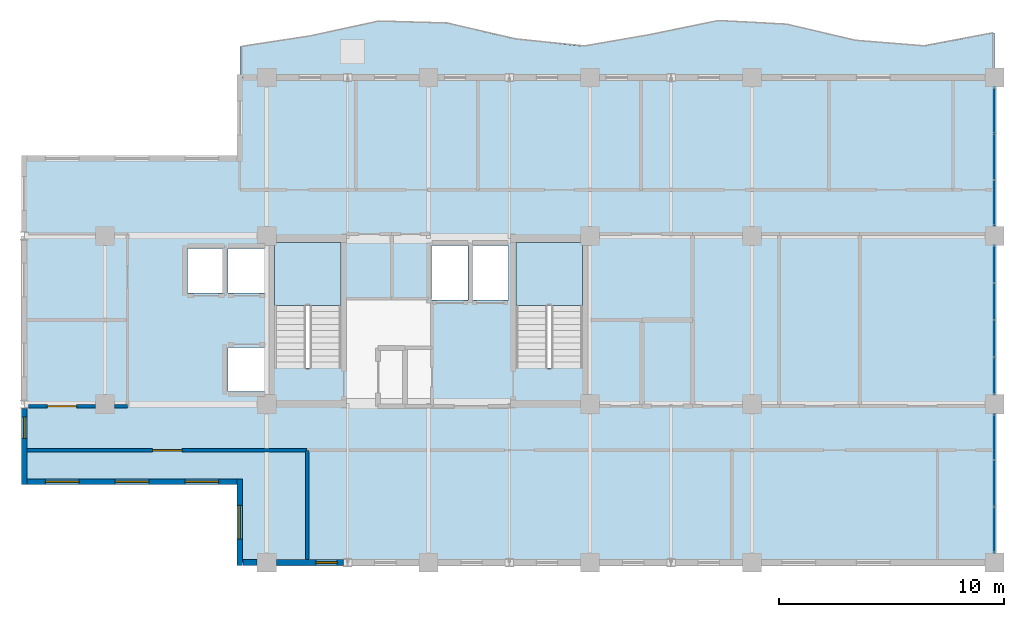
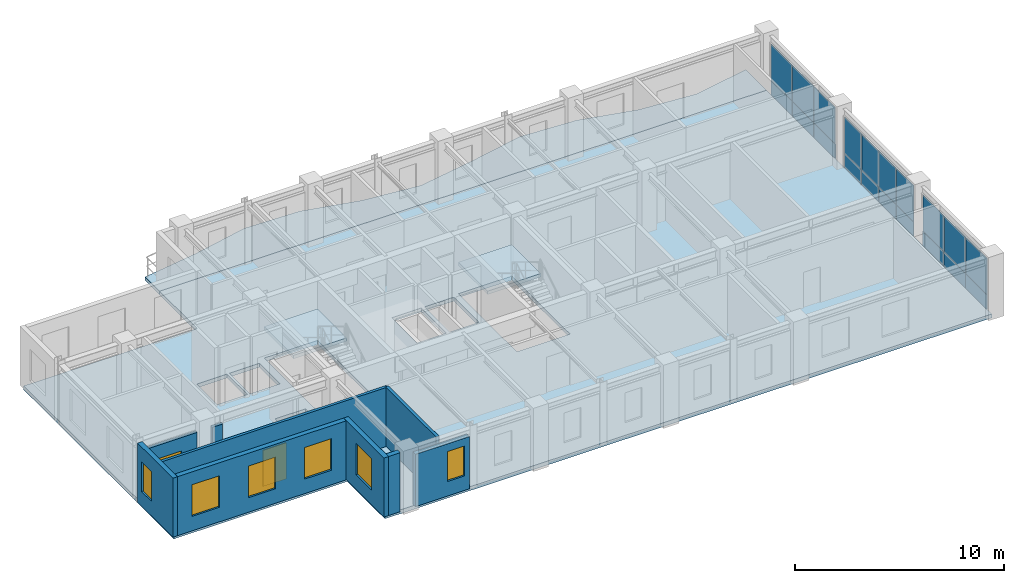
# One storey, part 5 of 10: 20 plates, 9 walls, 6 windows, 4 slabs, 2 doors, 8 openings, 5 elements without a shape of their own.
"""IFC4 building model written with IfcOpenShell, lengths in metres."""

from ifc_helpers import new_model, si_unit, direction, frame, frame_2d, origin, origin_2d, place, context, subcontext, project, spatial, polyline, rectangle, outline, extrude, source, transform, mapped, material, layer, layer_set, type_object, element, fill, aggregate, save


model = new_model("IFC4")

# Units and contexts
model_context = context("Model", 3, precision=1e-05, world=origin(), true_north=direction((0.0, 1.0)))
body_context = subcontext(model_context, "Body", "Model", "MODEL_VIEW")
ifc_project = project(units=[si_unit("LENGTHUNIT", "METRE"), si_unit("AREAUNIT", "SQUARE_METRE"), si_unit("VOLUMEUNIT", "CUBIC_METRE"), si_unit("PLANEANGLEUNIT", "RADIAN"), si_unit("MASSUNIT", "GRAM", prefix="KILO")], contexts=[model_context])

# Site, building, storey
site_placement = place(None, origin())
site = spatial("IfcSite", under=ifc_project, at=site_placement, CompositionType="ELEMENT")
building_placement = place(site_placement, origin())
building = spatial("IfcBuilding", under=site, at=building_placement, Name="Kaliganga Portal Commons", CompositionType="ELEMENT")
storey_placement = place(building_placement, frame((0.0, 0.0, 283.199951171875)))
storey = spatial("IfcBuildingStorey", under=building, at=storey_placement, Name="L73", CompositionType="ELEMENT", Elevation=283.199951171875)

# Slab
ifc_material_1 = material(Name="Concrete C40/50", Category="concrete")
ifc_layer_1 = layer(ifc_material_1, 0.2099609375)
ifc_layer_set_1 = layer_set([ifc_layer_1], Name="Concrete C40/50")
slab_type_1 = type_object("IfcSlabType", Name="SLB-BALC-210", PredefinedType="FLOOR", material=ifc_layer_set_1)
slab_1_placement = place(storey_placement, frame((0.0, 0.0, -0.2099609375)))
element("IfcSlab", 1, at=slab_1_placement, inside=storey, type_object=slab_type_1, Name="Scalloped Tree-Planter Balcony Slab L73 balc_north", PredefinedType="FLOOR", context=body_context, shape_type="SweptSolid", body=[
    extrude(outline(polyline([(46.800048828125, 43.199951171875), (46.800048828125, 45.19091796875), (43.74560546875, 44.607666015625), (40.69091796875, 44.85595703125), (37.636474609375, 45.581787109375), (34.581787109375, 45.75048828125), (31.52734375, 45.12158203125), (28.47265625, 44.591552734375), (25.418212890625, 44.916015625), (22.363525390625, 45.632568359375), (19.30908203125, 45.719482421875), (16.25439453125, 45.052978515625), (13.199951171875, 44.583251953125), (13.199951171875, 43.199951171875), (46.800048828125, 43.199951171875)])), origin(), (0.0, 0.0, 1.0), 0.2099609375),
])

# Stair, slab
stair_type = type_object("IfcStairType", Name="ST-CORE-DOGLEG", PredefinedType="HALF_TURN_STAIR", material=ifc_material_1)
stair_1_placement = place(storey_placement, origin())
stair_1 = element("IfcStair", 2, at=stair_1_placement, inside=storey, type_object=stair_type, Name="L73 Protected Exit Stair ST-A1", PredefinedType="HALF_TURN_STAIR")
ifc_layer_2 = layer(ifc_material_1, 0.199951171875)
ifc_layer_set_2 = layer_set([ifc_layer_2], Name="Concrete C40/50")
slab_type_2 = type_object("IfcSlabType", Name="SLB-STAIR-LND", PredefinedType="LANDING", material=ifc_layer_set_2)
slab_2_placement = place(storey_placement, frame((0.0, 0.0, 1.650146484375)))
slab_2 = element("IfcSlab", 3, at=slab_2_placement, type_object=slab_type_2, Name="ST-A1 landing 1", PredefinedType="LANDING", context=body_context, shape_type="SweptSolid", body=[
    extrude(outline(polyline([(17.699951171875, 33.050048828125), (17.699951171875, 35.85009765625), (14.75, 35.85009765625), (14.75, 33.050048828125), (17.699951171875, 33.050048828125)])), origin(), (0.0, 0.0, 1.0), 0.199951171875),
])
aggregate(stair_1, [slab_2])

stair_2_placement = place(storey_placement, origin())
stair_2 = element("IfcStair", 4, at=stair_2_placement, inside=storey, type_object=stair_type, Name="L73 Protected Exit Stair ST-A2", PredefinedType="HALF_TURN_STAIR")
slab_3_placement = place(storey_placement, frame((0.0, 0.0, 1.650146484375)))
slab_3 = element("IfcSlab", 5, at=slab_3_placement, type_object=slab_type_2, Name="ST-A2 landing 1", PredefinedType="LANDING", context=body_context, shape_type="SweptSolid", body=[
    extrude(outline(polyline([(28.449951171875, 33.050048828125), (28.449951171875, 35.85009765625), (25.5, 35.85009765625), (25.5, 33.050048828125), (28.449951171875, 33.050048828125)])), origin(), (0.0, 0.0, 1.0), 0.199951171875),
])
aggregate(stair_2, [slab_3])

# Slab
ifc_layer_3 = layer(ifc_material_1, 0.22509765625)
ifc_layer_set_3 = layer_set([ifc_layer_3], Name="Concrete C40/50")
slab_type_3 = type_object("IfcSlabType", Name="SLB-TWR-220", PredefinedType="FLOOR", material=ifc_layer_set_3)
slab_4_placement = place(storey_placement, frame((0.0, 0.0, -0.224853515625)))
element("IfcSlab", 6, at=slab_4_placement, inside=storey, type_object=slab_type_3, Name="Structural Floor Slab L73", PredefinedType="FLOOR", context=body_context, shape_type="SweptSolid", body=[
    extrude(outline(polyline([(13.199951171875, 21.60009765625), (46.800048828125, 21.60009765625), (46.800048828125, 43.199951171875), (13.199951171875, 43.199951171875), (13.199951171875, 39.60009765625), (3.60009765625, 39.60009765625), (3.60009765625, 25.199951171875), (13.199951171875, 25.199951171875), (13.199951171875, 21.60009765625)]), holes=[polyline([(14.75, 30.25390625), (14.75, 35.85009765625), (17.699951171875, 35.85009765625), (17.699951171875, 30.25390625), (14.75, 30.25390625)]), polyline([(25.5, 30.25390625), (25.5, 35.85009765625), (28.449951171875, 35.85009765625), (28.449951171875, 30.25390625), (25.5, 30.25390625)]), polyline([(12.6650390625, 33.614990234375), (12.6650390625, 35.5849609375), (14.3349609375, 35.5849609375), (14.3349609375, 33.614990234375), (12.6650390625, 33.614990234375)]), polyline([(12.6650390625, 29.215087890625), (12.6650390625, 31.18505859375), (14.3349609375, 31.18505859375), (14.3349609375, 29.215087890625), (12.6650390625, 29.215087890625)]), polyline([(10.864990234375, 33.614990234375), (10.864990234375, 35.5849609375), (12.534912109375, 35.5849609375), (12.534912109375, 33.614990234375), (10.864990234375, 33.614990234375)]), polyline([(21.739990234375, 33.2900390625), (21.739990234375, 35.7099609375), (23.360107421875, 35.7099609375), (23.360107421875, 33.2900390625), (21.739990234375, 33.2900390625)]), polyline([(23.5400390625, 33.2900390625), (23.5400390625, 35.7099609375), (25.159912109375, 35.7099609375), (25.159912109375, 33.2900390625), (23.5400390625, 33.2900390625)])]), origin(), (0.0, 0.0, 1.0), 0.224853515625),
])

# Curtain wall, plates
ifc_material_2 = material(Name="Anodized Aluminium and Laminated Low-E Glass", Category="aluminium")
ifc_layer_4 = layer(ifc_material_2, 0.18994140625)
ifc_layer_set_4 = layer_set([ifc_layer_4], Name="Anodized Aluminium and Laminated Low-E Glass")
curtain_wall_type = type_object("IfcCurtainWallType", Name="CW-SYS-05", PredefinedType="NOTDEFINED", material=ifc_layer_set_4)
curtain_wall_1_placement = place(storey_placement, origin())
curtain_wall_1 = element("IfcCurtainWall", 7, at=curtain_wall_1_placement, inside=storey, type_object=curtain_wall_type, Name="CW 05 L73 P1E01S1", PredefinedType="NOTDEFINED")
ifc_material_3 = material(Name="Insulated Dark Spandrel Panel", Category="metal")
ifc_layer_5 = layer(ifc_material_3, 0.044921875)
ifc_layer_set_5 = layer_set([ifc_layer_5], Name="Insulated Dark Spandrel Panel")
plate_type_1 = type_object("IfcPlateType", Name="PLT-SPN-45", PredefinedType="SHEET", material=ifc_layer_set_5)
shared_shape_1 = source(origin(), body_context, "Body", "SweptSolid", [
    extrude(rectangle(XDim=2.02587890625, YDim=0.044921875, at=origin_2d()), origin(), (0.0, 0.0, 1.0), 0.841064453125),
])
plate_1_placement = place(storey_placement, frame((46.800048828125, 23.05908203125, 0.01025390625), z_axis=(0.0, 0.0, 1.0), x_axis=(0.0, 1.0, 0.0)))
plate_1 = element("IfcPlate", 8, at=plate_1_placement, type_object=plate_type_1, Name="CW:05:L73:P1E01S1 Spandrel 00", PredefinedType="SHEET", context=body_context, shape_type="MappedRepresentation", body=[
    mapped(shared_shape_1, transform((0.0, 0.0, 0.0), x_axis=(1.0, 0.0, 0.0), y_axis=(0.0, 1.0, 0.0), z_axis=(0.0, 0.0, 1.0), scale=1.0)),
])
plate_2_placement = place(storey_placement, frame((46.800048828125, 25.125, 0.01025390625), z_axis=(0.0, 0.0, 1.0), x_axis=(0.0, 1.0, 0.0)))
plate_2 = element("IfcPlate", 9, at=plate_2_placement, type_object=plate_type_1, Name="CW:05:L73:P1E01S1 Spandrel 01", PredefinedType="SHEET", context=body_context, shape_type="MappedRepresentation", body=[
    mapped(shared_shape_1, transform((0.0, 0.0, 0.0), x_axis=(1.0, 0.0, 0.0), y_axis=(0.0, 1.0, 0.0), z_axis=(0.0, 0.0, 1.0), scale=1.0)),
])
plate_3_placement = place(storey_placement, frame((46.800048828125, 27.19091796875, 0.01025390625), z_axis=(0.0, 0.0, 1.0), x_axis=(0.0, 1.0, 0.0)))
plate_3 = element("IfcPlate", 10, at=plate_3_placement, type_object=plate_type_1, Name="CW:05:L73:P1E01S1 Spandrel 02", PredefinedType="SHEET", context=body_context, shape_type="MappedRepresentation", body=[
    mapped(shared_shape_1, transform((0.0, 0.0, 0.0), x_axis=(1.0, 0.0, 0.0), y_axis=(0.0, 1.0, 0.0), z_axis=(0.0, 0.0, 1.0), scale=1.0)),
])

curtain_wall_2_placement = place(storey_placement, origin())
curtain_wall_2 = element("IfcCurtainWall", 11, at=curtain_wall_2_placement, inside=storey, type_object=curtain_wall_type, Name="CW 05 L73 P1E01S3", PredefinedType="NOTDEFINED")
plate_4_placement = place(storey_placement, frame((46.800048828125, 37.60888671875, 0.01025390625), z_axis=(0.0, 0.0, 1.0), x_axis=(0.0, 1.0, 0.0)))
plate_4 = element("IfcPlate", 12, at=plate_4_placement, type_object=plate_type_1, Name="CW:05:L73:P1E01S3 Spandrel 00", PredefinedType="SHEET", context=body_context, shape_type="MappedRepresentation", body=[
    mapped(shared_shape_1, transform((0.0, 0.0, 0.0), x_axis=(1.0, 0.0, 0.0), y_axis=(0.0, 1.0, 0.0), z_axis=(0.0, 0.0, 1.0), scale=1.0)),
])
plate_5_placement = place(storey_placement, frame((46.800048828125, 39.675048828125, 0.01025390625), z_axis=(0.0, 0.0, 1.0), x_axis=(0.0, 1.0, 0.0)))
plate_5 = element("IfcPlate", 13, at=plate_5_placement, type_object=plate_type_1, Name="CW:05:L73:P1E01S3 Spandrel 01", PredefinedType="SHEET", context=body_context, shape_type="MappedRepresentation", body=[
    mapped(shared_shape_1, transform((0.0, 0.0, 0.0), x_axis=(1.0, 0.0, 0.0), y_axis=(0.0, 1.0, 0.0), z_axis=(0.0, 0.0, 1.0), scale=1.0)),
])
plate_6_placement = place(storey_placement, frame((46.800048828125, 41.740966796875, 0.01025390625), z_axis=(0.0, 0.0, 1.0), x_axis=(0.0, 1.0, 0.0)))
plate_6 = element("IfcPlate", 14, at=plate_6_placement, type_object=plate_type_1, Name="CW:05:L73:P1E01S3 Spandrel 02", PredefinedType="SHEET", context=body_context, shape_type="MappedRepresentation", body=[
    mapped(shared_shape_1, transform((0.0, 0.0, 0.0), x_axis=(1.0, 0.0, 0.0), y_axis=(0.0, 1.0, 0.0), z_axis=(0.0, 0.0, 1.0), scale=1.0)),
])

# Plate
ifc_material_4 = material(Name="Dark Solar-Control Laminated Low-E IGU", Category="glass")
ifc_layer_6 = layer(ifc_material_4, 0.028076171875)
ifc_layer_set_6 = layer_set([ifc_layer_6], Name="Dark Solar-Control Laminated Low-E IGU")
plate_type_2 = type_object("IfcPlateType", Name="PLT-GLZ-28", PredefinedType="CURTAIN_PANEL", material=ifc_layer_set_6)
shared_shape_2 = source(origin(), body_context, "Body", "SweptSolid", [
    extrude(rectangle(XDim=2.02587890625, YDim=0.028076171875, at=origin_2d()), origin(), (0.0, 0.0, 1.0), 2.114013671875),
])
plate_7_placement = place(storey_placement, frame((46.800048828125, 23.05908203125, 0.87109375), z_axis=(0.0, 0.0, 1.0), x_axis=(0.0, 1.0, 0.0)))
plate_7 = element("IfcPlate", 15, at=plate_7_placement, type_object=plate_type_2, Name="CW:05:L73:P1E01S1 Vision IGU 00", PredefinedType="CURTAIN_PANEL", context=body_context, shape_type="MappedRepresentation", body=[
    mapped(shared_shape_2, transform((0.0, 0.0, 0.0), x_axis=(1.0, 0.0, 0.0), y_axis=(0.0, 1.0, 0.0), z_axis=(0.0, 0.0, 1.0), scale=1.0)),
])

plate_8_placement = place(storey_placement, frame((46.800048828125, 25.125, 0.87109375), z_axis=(0.0, 0.0, 1.0), x_axis=(0.0, 1.0, 0.0)))
plate_8 = element("IfcPlate", 16, at=plate_8_placement, type_object=plate_type_2, Name="CW:05:L73:P1E01S1 Vision IGU 01", PredefinedType="CURTAIN_PANEL", context=body_context, shape_type="MappedRepresentation", body=[
    mapped(shared_shape_2, transform((0.0, 0.0, 0.0), x_axis=(1.0, 0.0, 0.0), y_axis=(0.0, 1.0, 0.0), z_axis=(0.0, 0.0, 1.0), scale=1.0)),
])

plate_9_placement = place(storey_placement, frame((46.800048828125, 27.19091796875, 0.87109375), z_axis=(0.0, 0.0, 1.0), x_axis=(0.0, 1.0, 0.0)))
plate_9 = element("IfcPlate", 17, at=plate_9_placement, type_object=plate_type_2, Name="CW:05:L73:P1E01S1 Vision IGU 02", PredefinedType="CURTAIN_PANEL", context=body_context, shape_type="MappedRepresentation", body=[
    mapped(shared_shape_2, transform((0.0, 0.0, 0.0), x_axis=(1.0, 0.0, 0.0), y_axis=(0.0, 1.0, 0.0), z_axis=(0.0, 0.0, 1.0), scale=1.0)),
])

aggregate(curtain_wall_1, [plate_1, plate_7, plate_2, plate_8, plate_3, plate_9])

plate_10_placement = place(storey_placement, frame((46.800048828125, 37.60888671875, 0.87109375), z_axis=(0.0, 0.0, 1.0), x_axis=(0.0, 1.0, 0.0)))
plate_10 = element("IfcPlate", 18, at=plate_10_placement, type_object=plate_type_2, Name="CW:05:L73:P1E01S3 Vision IGU 00", PredefinedType="CURTAIN_PANEL", context=body_context, shape_type="MappedRepresentation", body=[
    mapped(shared_shape_2, transform((0.0, 0.0, 0.0), x_axis=(1.0, 0.0, 0.0), y_axis=(0.0, 1.0, 0.0), z_axis=(0.0, 0.0, 1.0), scale=1.0)),
])

plate_11_placement = place(storey_placement, frame((46.800048828125, 39.675048828125, 0.87109375), z_axis=(0.0, 0.0, 1.0), x_axis=(0.0, 1.0, 0.0)))
plate_11 = element("IfcPlate", 19, at=plate_11_placement, type_object=plate_type_2, Name="CW:05:L73:P1E01S3 Vision IGU 01", PredefinedType="CURTAIN_PANEL", context=body_context, shape_type="MappedRepresentation", body=[
    mapped(shared_shape_2, transform((0.0, 0.0, 0.0), x_axis=(1.0, 0.0, 0.0), y_axis=(0.0, 1.0, 0.0), z_axis=(0.0, 0.0, 1.0), scale=1.0)),
])

plate_12_placement = place(storey_placement, frame((46.800048828125, 41.740966796875, 0.87109375), z_axis=(0.0, 0.0, 1.0), x_axis=(0.0, 1.0, 0.0)))
plate_12 = element("IfcPlate", 20, at=plate_12_placement, type_object=plate_type_2, Name="CW:05:L73:P1E01S3 Vision IGU 02", PredefinedType="CURTAIN_PANEL", context=body_context, shape_type="MappedRepresentation", body=[
    mapped(shared_shape_2, transform((0.0, 0.0, 0.0), x_axis=(1.0, 0.0, 0.0), y_axis=(0.0, 1.0, 0.0), z_axis=(0.0, 0.0, 1.0), scale=1.0)),
])

aggregate(curtain_wall_2, [plate_4, plate_10, plate_5, plate_11, plate_6, plate_12])

# Curtain wall, plates
curtain_wall_3_placement = place(storey_placement, origin())
curtain_wall_3 = element("IfcCurtainWall", 21, at=curtain_wall_3_placement, inside=storey, type_object=curtain_wall_type, Name="CW 05 L73 P1E01S2", PredefinedType="NOTDEFINED")
shared_shape_3 = source(origin(), body_context, "Body", "SweptSolid", [
    extrude(rectangle(XDim=1.6220703125, YDim=0.044921875, at=origin_2d()), origin(), (0.0, 0.0, 1.0), 0.841064453125),
])
plate_13_placement = place(storey_placement, frame((46.800048828125, 29.906982421875, 0.01025390625), z_axis=(0.0, 0.0, 1.0), x_axis=(0.0, 1.0, 0.0)))
plate_13 = element("IfcPlate", 22, at=plate_13_placement, type_object=plate_type_1, Name="CW:05:L73:P1E01S2 Spandrel 00", PredefinedType="SHEET", context=body_context, shape_type="MappedRepresentation", body=[
    mapped(shared_shape_3, transform((0.0, 0.0, 0.0), x_axis=(1.0, 0.0, 0.0), y_axis=(0.0, 1.0, 0.0), z_axis=(0.0, 0.0, 1.0), scale=1.0)),
])
plate_14_placement = place(storey_placement, frame((46.800048828125, 31.569091796875, 0.01025390625), z_axis=(0.0, 0.0, 1.0), x_axis=(0.0, 1.0, 0.0)))
plate_14 = element("IfcPlate", 23, at=plate_14_placement, type_object=plate_type_1, Name="CW:05:L73:P1E01S2 Spandrel 01", PredefinedType="SHEET", context=body_context, shape_type="MappedRepresentation", body=[
    mapped(shared_shape_3, transform((0.0, 0.0, 0.0), x_axis=(1.0, 0.0, 0.0), y_axis=(0.0, 1.0, 0.0), z_axis=(0.0, 0.0, 1.0), scale=1.0)),
])
plate_15_placement = place(storey_placement, frame((46.800048828125, 33.23095703125, 0.01025390625), z_axis=(0.0, 0.0, 1.0), x_axis=(0.0, 1.0, 0.0)))
plate_15 = element("IfcPlate", 24, at=plate_15_placement, type_object=plate_type_1, Name="CW:05:L73:P1E01S2 Spandrel 02", PredefinedType="SHEET", context=body_context, shape_type="MappedRepresentation", body=[
    mapped(shared_shape_3, transform((0.0, 0.0, 0.0), x_axis=(1.0, 0.0, 0.0), y_axis=(0.0, 1.0, 0.0), z_axis=(0.0, 0.0, 1.0), scale=1.0)),
])
plate_16_placement = place(storey_placement, frame((46.800048828125, 34.89306640625, 0.01025390625), z_axis=(0.0, 0.0, 1.0), x_axis=(0.0, 1.0, 0.0)))
plate_16 = element("IfcPlate", 25, at=plate_16_placement, type_object=plate_type_1, Name="CW:05:L73:P1E01S2 Spandrel 03", PredefinedType="SHEET", context=body_context, shape_type="MappedRepresentation", body=[
    mapped(shared_shape_3, transform((0.0, 0.0, 0.0), x_axis=(1.0, 0.0, 0.0), y_axis=(0.0, 1.0, 0.0), z_axis=(0.0, 0.0, 1.0), scale=1.0)),
])
shared_shape_4 = source(origin(), body_context, "Body", "SweptSolid", [
    extrude(rectangle(XDim=1.6220703125, YDim=0.028076171875, at=origin_2d()), origin(), (0.0, 0.0, 1.0), 2.114013671875),
])
plate_17_placement = place(storey_placement, frame((46.800048828125, 29.906982421875, 0.87109375), z_axis=(0.0, 0.0, 1.0), x_axis=(0.0, 1.0, 0.0)))
plate_17 = element("IfcPlate", 26, at=plate_17_placement, type_object=plate_type_2, Name="CW:05:L73:P1E01S2 Vision IGU 00", PredefinedType="CURTAIN_PANEL", context=body_context, shape_type="MappedRepresentation", body=[
    mapped(shared_shape_4, transform((0.0, 0.0, 0.0), x_axis=(1.0, 0.0, 0.0), y_axis=(0.0, 1.0, 0.0), z_axis=(0.0, 0.0, 1.0), scale=1.0)),
])
plate_18_placement = place(storey_placement, frame((46.800048828125, 31.569091796875, 0.87109375), z_axis=(0.0, 0.0, 1.0), x_axis=(0.0, 1.0, 0.0)))
plate_18 = element("IfcPlate", 27, at=plate_18_placement, type_object=plate_type_2, Name="CW:05:L73:P1E01S2 Vision IGU 01", PredefinedType="CURTAIN_PANEL", context=body_context, shape_type="MappedRepresentation", body=[
    mapped(shared_shape_4, transform((0.0, 0.0, 0.0), x_axis=(1.0, 0.0, 0.0), y_axis=(0.0, 1.0, 0.0), z_axis=(0.0, 0.0, 1.0), scale=1.0)),
])
plate_19_placement = place(storey_placement, frame((46.800048828125, 33.23095703125, 0.87109375), z_axis=(0.0, 0.0, 1.0), x_axis=(0.0, 1.0, 0.0)))
plate_19 = element("IfcPlate", 28, at=plate_19_placement, type_object=plate_type_2, Name="CW:05:L73:P1E01S2 Vision IGU 02", PredefinedType="CURTAIN_PANEL", context=body_context, shape_type="MappedRepresentation", body=[
    mapped(shared_shape_4, transform((0.0, 0.0, 0.0), x_axis=(1.0, 0.0, 0.0), y_axis=(0.0, 1.0, 0.0), z_axis=(0.0, 0.0, 1.0), scale=1.0)),
])
plate_20_placement = place(storey_placement, frame((46.800048828125, 34.89306640625, 0.87109375), z_axis=(0.0, 0.0, 1.0), x_axis=(0.0, 1.0, 0.0)))
plate_20 = element("IfcPlate", 29, at=plate_20_placement, type_object=plate_type_2, Name="CW:05:L73:P1E01S2 Vision IGU 03", PredefinedType="CURTAIN_PANEL", context=body_context, shape_type="MappedRepresentation", body=[
    mapped(shared_shape_4, transform((0.0, 0.0, 0.0), x_axis=(1.0, 0.0, 0.0), y_axis=(0.0, 1.0, 0.0), z_axis=(0.0, 0.0, 1.0), scale=1.0)),
])
aggregate(curtain_wall_3, [plate_13, plate_17, plate_14, plate_18, plate_15, plate_19, plate_16, plate_20])

# Wall
ifc_material_5 = material(Name="Insulated Aluminium-Clad Spandrel Assembly", Category="aluminium")
ifc_layer_7 = layer(ifc_material_5, 0.260009765625)
ifc_layer_set_7 = layer_set([ifc_layer_7], Name="Insulated Aluminium-Clad Spandrel Assembly")
wall_type_1 = type_object("IfcWallType", Name="WL-EXT-SPAND-260", PredefinedType="STANDARD", material=ifc_layer_set_7)
wall_1_placement = place(storey_placement, frame((13.97412109375, 21.60009765625, 0.0), z_axis=(0.0, 0.0, 1.0), x_axis=(-1.0, 0.0, 0.0)))
element("IfcWall", 30, at=wall_1_placement, inside=storey, type_object=wall_type_1, Name="Exterior Envelope Wall L73 P1-E00-S1", PredefinedType="STANDARD", context=body_context, shape_type="SweptSolid", body=[
    extrude(rectangle(XDim=0.63916015625, YDim=0.260009765625, at=frame_2d((0.319580078125, 0.0))), origin(), (0.0, 0.0, 1.0), 3.455078125),
])

# Wall, opening, window
wall_2_placement = place(storey_placement, frame((17.81201171875, 21.60009765625, 0.0), z_axis=(0.0, 0.0, 1.0), x_axis=(-1.0, 0.0, 0.0)))
wall_2 = element("IfcWall", 31, at=wall_2_placement, inside=storey, type_object=wall_type_1, Name="Exterior Envelope Wall L73 P1-E00-S2", PredefinedType="STANDARD", context=body_context, shape_type="SweptSolid", body=[
    extrude(rectangle(XDim=2.986083984375, YDim=0.260009765625, at=frame_2d((1.4931640625, 0.0))), origin(), (0.0, 0.0, 1.0), 3.054931640625),
])
opening_1_placement = place(wall_2_placement, frame((0.277587890625, 0.0, 0.85009765625)))
opening_1 = element("IfcOpeningElement", 32, at=opening_1_placement, cuts=wall_2, Name="Opening W-04", PredefinedType="OPENING", context=body_context, shape_type="SweptSolid", body=[
    extrude(rectangle(XDim=0.949951171875, YDim=1.75, at=frame_2d((0.47509765625, 0.875))), frame((0.0, 0.14013671875, 0.0), z_axis=(0.0, -1.0, 0.0), x_axis=(1.0, 0.0, 0.0)), (0.0, 0.0, 1.0), 0.280029296875),
])
ifc_material_6 = material(Name="Thermally Broken Aluminium and Low-E Double Glazing", Category="aluminium")
window_type_1 = type_object("IfcWindowType", Name="WIN-NARROW-950", PartitioningType="SINGLE_PANEL", PredefinedType="WINDOW", material=ifc_material_6)
window_1_placement = place(opening_1_placement, origin())
window_1 = element("IfcWindow", 33, at=window_1_placement, inside=storey, type_object=window_type_1, Name="Facade Window L73-P1E00S2-N1", OverallHeight=1.75, OverallWidth=0.949951171875, PartitioningType="SINGLE_PANEL", PredefinedType="WINDOW", context=body_context, shape_type="SweptSolid", body=[
    extrude(rectangle(XDim=0.949951171875, YDim=1.75, at=frame_2d((0.47509765625, 0.875))), frame((0.0, 0.030029296875, 0.0), z_axis=(0.0, -1.0, 0.0), x_axis=(1.0, 0.0, 0.0)), (0.0, 0.0, 1.0), 0.06005859375),
])
fill(opening_1, window_1)

wall_3_placement = place(storey_placement, frame((3.60009765625, 25.070068359375, 0.0), z_axis=(0.0, 0.0, 1.0), x_axis=(0.0, 1.0, 0.0)))
wall_3 = element("IfcWall", 34, at=wall_3_placement, inside=storey, type_object=wall_type_1, Name="Exterior Envelope Wall L73 P1-E05-S3", PredefinedType="STANDARD", context=body_context, shape_type="SweptSolid", body=[
    extrude(rectangle(XDim=3.392822265625, YDim=0.260009765625, at=frame_2d((1.6962890625, 0.0))), origin(), (0.0, 0.0, 1.0), 3.455078125),
])
opening_2_placement = place(wall_3_placement, frame((2.06298828125, 0.0, 0.85009765625)))
opening_2 = element("IfcOpeningElement", 35, at=opening_2_placement, cuts=wall_3, Name="Opening W-04", PredefinedType="OPENING", context=body_context, shape_type="SweptSolid", body=[
    extrude(rectangle(XDim=0.949951171875, YDim=1.75, at=frame_2d((0.47509765625, 0.875))), frame((0.0, 0.14013671875, 0.0), z_axis=(0.0, -1.0, 0.0), x_axis=(1.0, 0.0, 0.0)), (0.0, 0.0, 1.0), 0.280029296875),
])
window_2_placement = place(opening_2_placement, origin())
window_2 = element("IfcWindow", 36, at=window_2_placement, inside=storey, type_object=window_type_1, Name="Facade Window L73-P1E05S3-N2", OverallHeight=1.75, OverallWidth=0.949951171875, PartitioningType="SINGLE_PANEL", PredefinedType="WINDOW", context=body_context, shape_type="SweptSolid", body=[
    extrude(rectangle(XDim=0.949951171875, YDim=1.75, at=frame_2d((0.47509765625, 0.875))), frame((0.0, 0.030029296875, 0.0), z_axis=(0.0, -1.0, 0.0), x_axis=(1.0, 0.0, 0.0)), (0.0, 0.0, 1.0), 0.06005859375),
])
fill(opening_2, window_2)

# Wall, openings, windows
wall_4_placement = place(storey_placement, frame((13.06494140625, 25.199951171875, 0.0), z_axis=(0.0, 0.0, 1.0), x_axis=(-1.0, 0.0, 0.0)))
wall_4 = element("IfcWall", 37, at=wall_4_placement, inside=storey, type_object=wall_type_1, Name="Exterior Envelope Wall L73 P1-E06-S1", PredefinedType="STANDARD", context=body_context, shape_type="SweptSolid", body=[
    extrude(rectangle(XDim=9.329833984375, YDim=0.260009765625, at=frame_2d((4.6650390625, 0.0))), origin(), (0.0, 0.0, 1.0), 3.455078125),
])
opening_3_placement = place(wall_4_placement, frame((0.804931640625, 0.0, 0.85009765625)))
opening_3 = element("IfcOpeningElement", 38, at=opening_3_placement, cuts=wall_4, Name="Opening W-02", PredefinedType="OPENING", context=body_context, shape_type="SweptSolid", body=[
    extrude(rectangle(XDim=1.5, YDim=1.85009765625, at=frame_2d((0.75, 0.925048828125))), frame((0.0, 0.14013671875, 0.0), z_axis=(0.0, -1.0, 0.0), x_axis=(1.0, 0.0, 0.0)), (0.0, 0.0, 1.0), 0.280029296875),
])
opening_4_placement = place(wall_4_placement, frame((3.9150390625, 0.0, 0.85009765625)))
opening_4 = element("IfcOpeningElement", 39, at=opening_4_placement, cuts=wall_4, Name="Opening W-02", PredefinedType="OPENING", context=body_context, shape_type="SweptSolid", body=[
    extrude(rectangle(XDim=1.5, YDim=1.85009765625, at=frame_2d((0.75, 0.925048828125))), frame((0.0, 0.14013671875, 0.0), z_axis=(0.0, -1.0, 0.0), x_axis=(1.0, 0.0, 0.0)), (0.0, 0.0, 1.0), 0.280029296875),
])
opening_5_placement = place(wall_4_placement, frame((7.02490234375, 0.0, 0.85009765625)))
opening_5 = element("IfcOpeningElement", 40, at=opening_5_placement, cuts=wall_4, Name="Opening W-02", PredefinedType="OPENING", context=body_context, shape_type="SweptSolid", body=[
    extrude(rectangle(XDim=1.5, YDim=1.85009765625, at=frame_2d((0.75, 0.925048828125))), frame((0.0, 0.14013671875, 0.0), z_axis=(0.0, -1.0, 0.0), x_axis=(1.0, 0.0, 0.0)), (0.0, 0.0, 1.0), 0.280029296875),
])
window_type_2 = type_object("IfcWindowType", Name="WIN-STD-1500", PartitioningType="DOUBLE_PANEL_VERTICAL", PredefinedType="WINDOW", material=ifc_material_6)
window_3_placement = place(opening_3_placement, origin())
window_3 = element("IfcWindow", 41, at=window_3_placement, inside=storey, type_object=window_type_2, Name="Facade Window L73-P1E06S1-00", OverallHeight=1.85009765625, OverallWidth=1.5, PartitioningType="SINGLE_PANEL", PredefinedType="WINDOW", context=body_context, shape_type="SweptSolid", body=[
    extrude(rectangle(XDim=1.5, YDim=1.85009765625, at=frame_2d((0.75, 0.925048828125))), frame((0.0, 0.030029296875, 0.0), z_axis=(0.0, -1.0, 0.0), x_axis=(1.0, 0.0, 0.0)), (0.0, 0.0, 1.0), 0.06005859375),
])
fill(opening_3, window_3)
window_4_placement = place(opening_4_placement, origin())
window_4 = element("IfcWindow", 42, at=window_4_placement, inside=storey, type_object=window_type_2, Name="Facade Window L73-P1E06S1-01", OverallHeight=1.85009765625, OverallWidth=1.5, PartitioningType="SINGLE_PANEL", PredefinedType="WINDOW", context=body_context, shape_type="SweptSolid", body=[
    extrude(rectangle(XDim=1.5, YDim=1.85009765625, at=frame_2d((0.75, 0.925048828125))), frame((0.0, 0.030029296875, 0.0), z_axis=(0.0, -1.0, 0.0), x_axis=(1.0, 0.0, 0.0)), (0.0, 0.0, 1.0), 0.06005859375),
])
fill(opening_4, window_4)
window_5_placement = place(opening_5_placement, origin())
window_5 = element("IfcWindow", 43, at=window_5_placement, inside=storey, type_object=window_type_2, Name="Facade Window L73-P1E06S1-02", OverallHeight=1.85009765625, OverallWidth=1.5, PartitioningType="SINGLE_PANEL", PredefinedType="WINDOW", context=body_context, shape_type="SweptSolid", body=[
    extrude(rectangle(XDim=1.5, YDim=1.85009765625, at=frame_2d((0.75, 0.925048828125))), frame((0.0, 0.030029296875, 0.0), z_axis=(0.0, -1.0, 0.0), x_axis=(1.0, 0.0, 0.0)), (0.0, 0.0, 1.0), 0.06005859375),
])
fill(opening_5, window_5)

# Wall, opening, window
wall_5_placement = place(storey_placement, frame((13.199951171875, 21.469970703125, 0.0), z_axis=(0.0, 0.0, 1.0), x_axis=(0.0, 1.0, 0.0)))
wall_5 = element("IfcWall", 44, at=wall_5_placement, inside=storey, type_object=wall_type_1, Name="Exterior Envelope Wall L73 P1-E07-S1", PredefinedType="STANDARD", context=body_context, shape_type="SweptSolid", body=[
    extrude(rectangle(XDim=3.860107421875, YDim=0.260009765625, at=frame_2d((1.93017578125, 0.0))), origin(), (0.0, 0.0, 1.0), 3.455078125),
])
opening_6_placement = place(wall_5_placement, frame((1.179931640625, 0.0, 0.85009765625)))
opening_6 = element("IfcOpeningElement", 45, at=opening_6_placement, cuts=wall_5, Name="Opening W-02", PredefinedType="OPENING", context=body_context, shape_type="SweptSolid", body=[
    extrude(rectangle(XDim=1.5, YDim=1.85009765625, at=frame_2d((0.75, 0.925048828125))), frame((0.0, 0.14013671875, 0.0), z_axis=(0.0, -1.0, 0.0), x_axis=(1.0, 0.0, 0.0)), (0.0, 0.0, 1.0), 0.280029296875),
])
window_6_placement = place(opening_6_placement, origin())
window_6 = element("IfcWindow", 46, at=window_6_placement, inside=storey, type_object=window_type_2, Name="Facade Window L73-P1E07S1-00", OverallHeight=1.85009765625, OverallWidth=1.5, PartitioningType="SINGLE_PANEL", PredefinedType="WINDOW", context=body_context, shape_type="SweptSolid", body=[
    extrude(rectangle(XDim=1.5, YDim=1.85009765625, at=frame_2d((0.75, 0.925048828125))), frame((0.0, 0.030029296875, 0.0), z_axis=(0.0, -1.0, 0.0), x_axis=(1.0, 0.0, 0.0)), (0.0, 0.0, 1.0), 0.06005859375),
])
fill(opening_6, window_6)

# Wall, opening, door
ifc_material_7 = material(Name="Fire-Rated Gypsum Board on Steel Stud", Category="steel")
ifc_layer_8 = layer(ifc_material_7, 0.14990234375)
ifc_layer_set_8 = layer_set([ifc_layer_8], Name="Fire-Rated Gypsum Board on Steel Stud")
wall_type_2 = type_object("IfcWallType", Name="WL-PART-CORR-150", PredefinedType="PARTITIONING", material=ifc_layer_set_8)
wall_6_placement = place(storey_placement, frame((3.73193359375, 26.60009765625, 0.0), z_axis=(0.0, 0.0, 1.0), x_axis=(1.0, 0.0, 0.0)))
wall_6 = element("IfcWall", 47, at=wall_6_placement, inside=storey, type_object=wall_type_2, Name="Interior Partition L73-002", PredefinedType="PARTITIONING", context=body_context, shape_type="SweptSolid", body=[
    extrude(rectangle(XDim=12.468017578125, YDim=0.14990234375, at=frame_2d((6.23388671875, 0.0))), origin(), (0.0, 0.0, 1.0), 3.455078125),
])
opening_7_placement = place(wall_6_placement, frame((5.583984375, 0.0, 0.0)))
opening_7 = element("IfcOpeningElement", 48, at=opening_7_placement, cuts=wall_6, Name="Opening RD-03", PredefinedType="OPENING", context=body_context, shape_type="SweptSolid", body=[
    extrude(rectangle(XDim=1.300048828125, YDim=2.1201171875, at=frame_2d((0.64990234375, 1.06005859375))), frame((0.0, 0.0849609375, 0.0), z_axis=(0.0, -1.0, 0.0), x_axis=(1.0, 0.0, 0.0)), (0.0, 0.0, 1.0), 0.169921875),
])
ifc_material_8 = material(Name="Glazed Timber Seminar Vision Door", Category="wood")
door_type = type_object("IfcDoorType", Name="DR-STUDY-1300", OperationType="DOUBLE_DOOR_SINGLE_SWING", PredefinedType="DOOR", material=ifc_material_8)
door_1_placement = place(opening_7_placement, origin())
door_1 = element("IfcDoor", 49, at=door_1_placement, inside=storey, type_object=door_type, Name="Interior Door L73-AS01", OperationType="DOUBLE_DOOR_SINGLE_SWING", OverallHeight=2.1201171875, OverallWidth=1.300048828125, PredefinedType="DOOR", context=body_context, shape_type="SweptSolid", body=[
    extrude(rectangle(XDim=1.300048828125, YDim=2.1201171875, at=frame_2d((0.64990234375, 1.06005859375))), frame((0.0, 0.02490234375, 0.0), z_axis=(0.0, -1.0, 0.0), x_axis=(1.0, 0.0, 0.0)), (0.0, 0.0, 1.0), 0.050048828125),
])
fill(opening_7, door_1)

wall_7_placement = place(storey_placement, frame((3.787109375, 28.56005859375, 0.0), z_axis=(0.0, 0.0, 1.0), x_axis=(1.0, 0.0, 0.0)))
wall_7 = element("IfcWall", 50, at=wall_7_placement, inside=storey, type_object=wall_type_2, Name="Interior Partition L73-011", PredefinedType="PARTITIONING", context=body_context, shape_type="SweptSolid", body=[
    extrude(rectangle(XDim=2.98779296875, YDim=0.14990234375, at=frame_2d((1.493896484375, 0.0))), origin(), (0.0, 0.0, 1.0), 2.905029296875),
])
opening_8_placement = place(wall_7_placement, frame((0.843994140625, 0.0, 0.0)))
opening_8 = element("IfcOpeningElement", 51, at=opening_8_placement, cuts=wall_7, Name="Opening RD-03", PredefinedType="OPENING", context=body_context, shape_type="SweptSolid", body=[
    extrude(rectangle(XDim=1.300048828125, YDim=2.1201171875, at=frame_2d((0.64990234375, 1.06005859375))), frame((0.0, 0.0849609375, 0.0), z_axis=(0.0, -1.0, 0.0), x_axis=(1.0, 0.0, 0.0)), (0.0, 0.0, 1.0), 0.169921875),
])
door_2_placement = place(opening_8_placement, origin())
door_2 = element("IfcDoor", 52, at=door_2_placement, inside=storey, type_object=door_type, Name="Interior Door L73-AW01", OperationType="DOUBLE_DOOR_SINGLE_SWING", OverallHeight=2.1201171875, OverallWidth=1.300048828125, PredefinedType="DOOR", context=body_context, shape_type="SweptSolid", body=[
    extrude(rectangle(XDim=1.300048828125, YDim=2.1201171875, at=frame_2d((0.64990234375, 1.06005859375))), frame((0.0, 0.02490234375, 0.0), z_axis=(0.0, -1.0, 0.0), x_axis=(1.0, 0.0, 0.0)), (0.0, 0.0, 1.0), 0.050048828125),
])
fill(opening_8, door_2)

# Walls
wall_8_placement = place(storey_placement, frame((7.625, 28.56005859375, 0.0), z_axis=(0.0, 0.0, 1.0), x_axis=(1.0, 0.0, 0.0)))
element("IfcWall", 53, at=wall_8_placement, inside=storey, type_object=wall_type_2, Name="Interior Partition L73-012", PredefinedType="PARTITIONING", context=body_context, shape_type="SweptSolid", body=[
    extrude(rectangle(XDim=0.574951171875, YDim=0.14990234375, at=frame_2d((0.28759765625, 0.0))), origin(), (0.0, 0.0, 1.0), 2.905029296875),
])
ifc_material_9 = material(Name="Twin-Stud Acoustic Gypsum Partition", Category="gypsum")
ifc_layer_9 = layer(ifc_material_9, 0.1650390625)
ifc_layer_set_9 = layer_set([ifc_layer_9], Name="Twin-Stud Acoustic Gypsum Partition")
wall_type_3 = type_object("IfcWallType", Name="WL-PART-UNIT-165", PredefinedType="PARTITIONING", material=ifc_layer_set_9)
wall_9_placement = place(storey_placement, frame((16.199951171875, 21.73193359375, 0.0), z_axis=(0.0, 0.0, 1.0), x_axis=(0.0, 1.0, 0.0)))
element("IfcWall", 54, at=wall_9_placement, inside=storey, type_object=wall_type_3, Name="Interior Partition L73-039", PredefinedType="PARTITIONING", context=body_context, shape_type="SweptSolid", body=[
    extrude(rectangle(XDim=4.8681640625, YDim=0.1650390625, at=frame_2d((2.43408203125, 0.0))), origin(), (0.0, 0.0, 1.0), 3.455078125),
])

save(model, "model.ifc")
